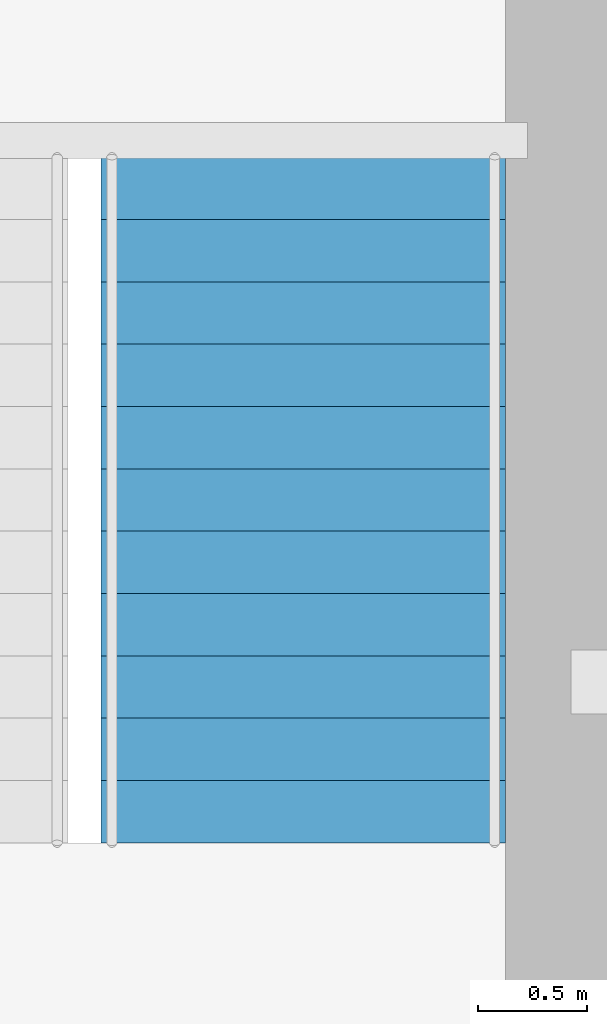
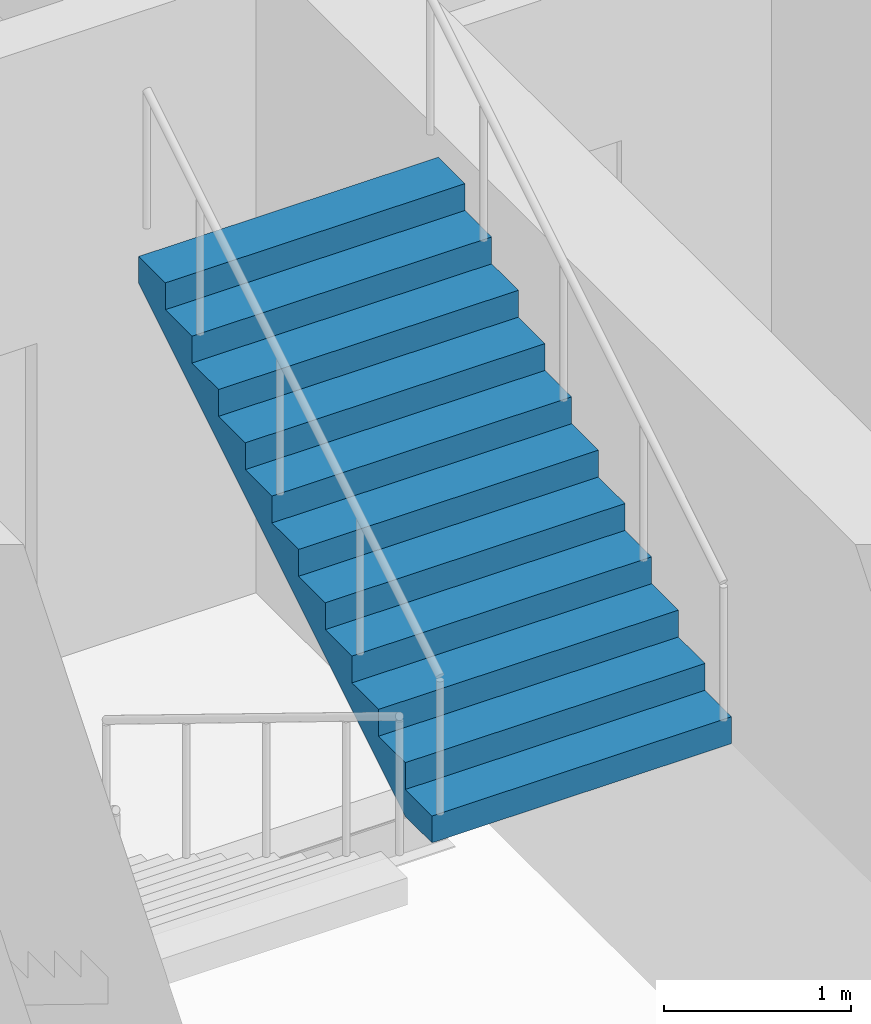
# One storey, part 11 of 13: 1 stair flight, 1 element without a shape of its own.
"""IFC4 building model written with IfcOpenShell, lengths in metres."""

from ifc_helpers import new_model, si_unit, direction, frame, origin, place, context, subcontext, project, spatial, polyline, outline, extrude, material, type_object, element, aggregate, save


model = new_model("IFC4")

# Units and contexts
model_context = context("Model", 3, precision=1e-05, world=origin(), true_north=direction((0.0, 1.0)))
body_context = subcontext(model_context, "Body", "Model", "MODEL_VIEW")
ifc_project = project(units=[si_unit("LENGTHUNIT", "METRE"), si_unit("AREAUNIT", "SQUARE_METRE"), si_unit("VOLUMEUNIT", "CUBIC_METRE"), si_unit("PLANEANGLEUNIT", "RADIAN"), si_unit("MASSUNIT", "GRAM", prefix="KILO")], contexts=[model_context])

# Site, building, storey
site_placement = place(None, origin())
site = spatial("IfcSite", under=ifc_project, at=site_placement, CompositionType="ELEMENT")
building_placement = place(site_placement, origin())
building = spatial("IfcBuilding", under=site, at=building_placement, Name="Corais Broadcast Tower", CompositionType="ELEMENT")
storey_placement = place(building_placement, frame((0.0, 0.0, 66.800048828125)))
storey = spatial("IfcBuildingStorey", under=building, at=storey_placement, Name="L14", CompositionType="ELEMENT", Elevation=66.800048828125)

# Stair, stair flight
ifc_material_1 = material(Name="Concrete C30/37", Category="concrete")
stair_type = type_object("IfcStairType", Name="Half-turn stair 4200", PredefinedType="HALF_TURN_STAIR", material=ifc_material_1)
stair_placement = place(storey_placement, origin())
stair = element("IfcStair", 1, at=stair_placement, inside=storey, type_object=stair_type, Name="Stair B L14", PredefinedType="HALF_TURN_STAIR")
ifc_material_2 = material(Name="Concrete C30/37", Category="concrete")
stair_flight_type = type_object("IfcStairFlightType", Name="Stair flight 4200", PredefinedType="STRAIGHT", material=ifc_material_2)
stair_flight_placement = place(storey_placement, frame((39.27490234375, 26.264892578125, 2.099853515625), z_axis=(0.0, 0.0, 1.0), x_axis=(0.0, 1.0, 0.0)))
stair_flight = element("IfcStairFlight", 2, at=stair_flight_placement, type_object=stair_flight_type, Name="STB flight 2", NumberOfRisers=12, NumberOfTreads=11, PredefinedType="STRAIGHT", RiserHeight=0.175, TreadLength=0.285, context=body_context, shape_type="SweptSolid", body=[
    extrude(outline(polyline([(0.0, 0.0), (0.0, 0.175048828125), (0.284912109375, 0.175048828125), (0.284912109375, 0.35009765625), (0.570068359375, 0.35009765625), (0.570068359375, 0.52490234375), (0.85498046875, 0.52490234375), (0.85498046875, 0.699951171875), (1.139892578125, 0.699951171875), (1.139892578125, 0.875), (1.425048828125, 0.875), (1.425048828125, 1.050048828125), (1.7099609375, 1.050048828125), (1.7099609375, 1.22509765625), (1.9951171875, 1.22509765625), (1.9951171875, 1.39990234375), (2.280029296875, 1.39990234375), (2.280029296875, 1.574951171875), (2.56494140625, 1.574951171875), (2.56494140625, 1.75), (2.85009765625, 1.75), (2.85009765625, 1.925048828125), (3.135009765625, 1.925048828125), (3.135009765625, 2.10009765625), (3.135009765625, 1.7490234375), (0.286376953125, 0.0), (0.0, 0.0)])), frame((0.0, 0.925048828125, 0.0), z_axis=(0.0, -1.0, 0.0), x_axis=(1.0, 0.0, 0.0)), (0.0, 0.0, 1.0), 1.85009765625),
])
aggregate(stair, [stair_flight])

save(model, "model.ifc")
